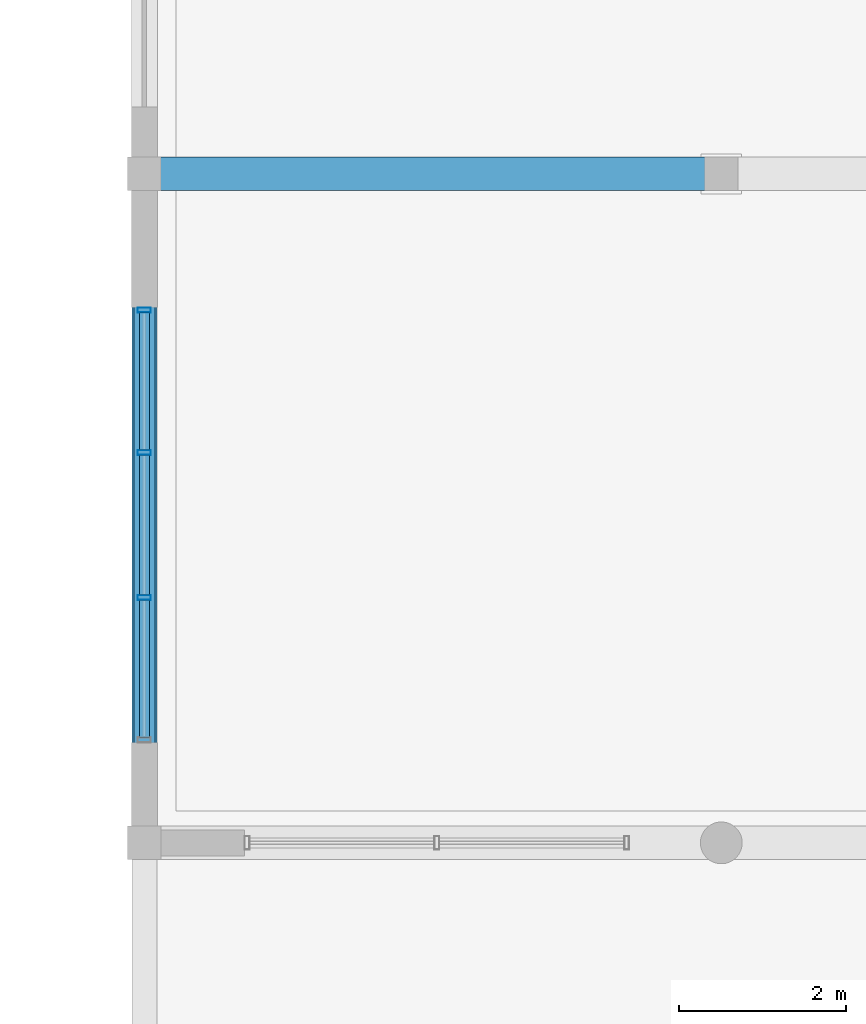
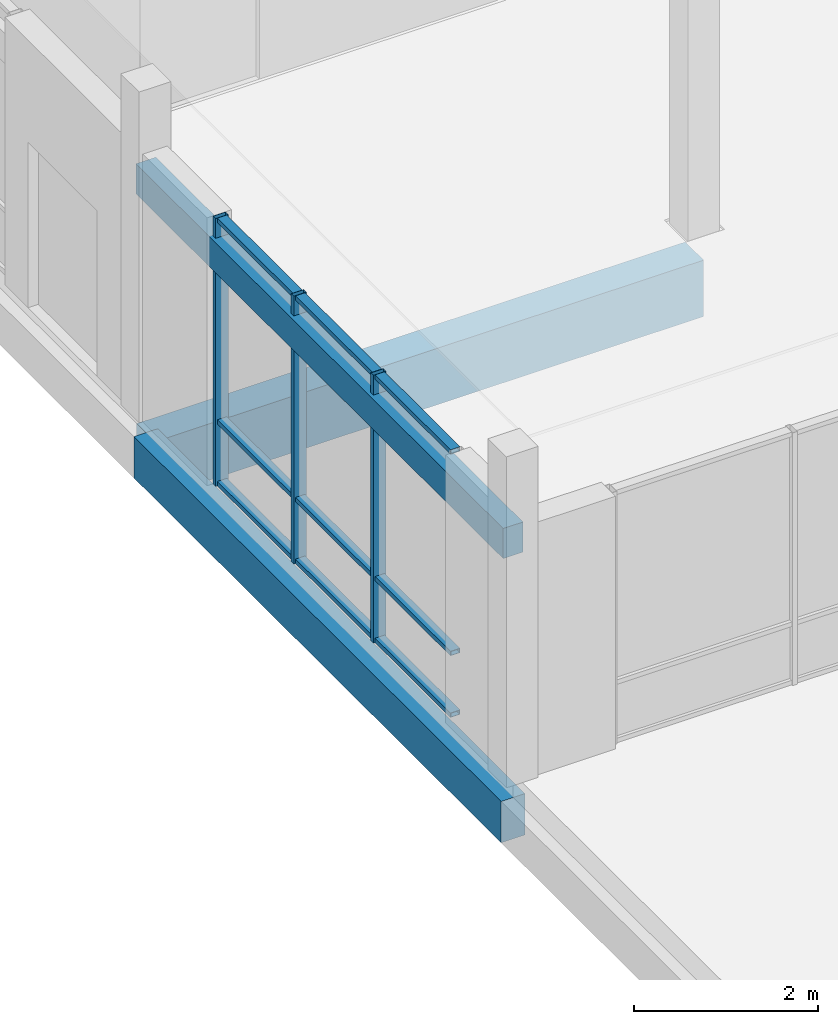
# One storey, part 83 of 233: 12 members, 3 beams, 1 element without a shape of its own.
"""IFC4 building model written with IfcOpenShell, lengths in metres."""

from ifc_helpers import new_model, si_unit, direction, frame, origin, origin_2d, place, context, subcontext, project, spatial, rectangle, hollow_rectangle, extrude, material, material_profile, profile_set, type_object, element, aggregate, save


model = new_model("IFC4")

# Units and contexts
model_context = context("Model", 3, precision=1e-05, world=origin(), true_north=direction((0.0, 1.0)))
body_context = subcontext(model_context, "Body", "Model", "MODEL_VIEW")
ifc_project = project(units=[si_unit("LENGTHUNIT", "METRE"), si_unit("AREAUNIT", "SQUARE_METRE"), si_unit("VOLUMEUNIT", "CUBIC_METRE"), si_unit("PLANEANGLEUNIT", "RADIAN"), si_unit("MASSUNIT", "GRAM", prefix="KILO")], contexts=[model_context])

# Site, building, storey
site_placement = place(None, origin())
site = spatial("IfcSite", under=ifc_project, at=site_placement, CompositionType="ELEMENT")
building_placement = place(site_placement, origin())
building = spatial("IfcBuilding", under=site, at=building_placement, Name="Zavelmont Quarter", CompositionType="ELEMENT")
storey_placement = place(building_placement, origin())
storey = spatial("IfcBuildingStorey", under=building, at=storey_placement, Name="L00", CompositionType="ELEMENT", Elevation=0.0)

# Beams
ifc_material_1 = material(Name="Concrete C35/45", Category="concrete")
ifc_material_profile_1 = material_profile(ifc_material_1, rectangle(XDim=0.300048828125, YDim=0.550048828125, at=origin_2d()), Name="RC300X550")
ifc_profile_set_1 = profile_set([ifc_material_profile_1], Name="Concrete C35/45")
beam_type_1 = type_object("IfcBeamType", Name="BM02", PredefinedType="SPANDREL", material=ifc_profile_set_1)
beam_1_placement = place(storey_placement, frame((0.0, 62.0, -0.594970703125), z_axis=(0.0, 1.0, 0.0), x_axis=(-1.0, 0.0, 0.0)))
element("IfcBeam", 1, at=beam_1_placement, inside=storey, type_object=beam_type_1, Name="L00 beam BM02 1/K to 1/L", PredefinedType="SPANDREL", context=body_context, shape_type="SweptSolid", body=[
    extrude(rectangle(XDim=0.300048828125, YDim=0.550048828125, at=origin_2d()), origin(), (0.0, 0.0, 1.0), 8.0),
])
ifc_material_profile_2 = material_profile(ifc_material_1, rectangle(XDim=0.25, YDim=0.39990234375, at=origin_2d()), Name="RC250X400")
ifc_profile_set_2 = profile_set([ifc_material_profile_2], Name="Concrete C35/45")
beam_type_2 = type_object("IfcBeamType", Name="BM04", PredefinedType="LINTEL", material=ifc_profile_set_2)
beam_2_placement = place(storey_placement, frame((0.0, 62.0, 3.10009765625), z_axis=(0.0, 1.0, 0.0), x_axis=(-1.0, 0.0, 0.0)))
element("IfcBeam", 2, at=beam_2_placement, inside=storey, type_object=beam_type_2, Name="L00 beam BM04 1/K to 1/L", PredefinedType="LINTEL", context=body_context, shape_type="SweptSolid", body=[
    extrude(rectangle(XDim=0.25, YDim=0.39990234375, at=origin_2d()), origin(), (0.0, 0.0, 1.0), 8.0),
])
ifc_material_2 = material(Name="Concrete C40/50", Category="concrete")
ifc_material_profile_3 = material_profile(ifc_material_2, rectangle(XDim=0.39990234375, YDim=0.75, at=origin_2d()), Name="RC400X750")
ifc_profile_set_3 = profile_set([ifc_material_profile_3], Name="Concrete C40/50")
beam_type_3 = type_object("IfcBeamType", Name="BM05", PredefinedType="BEAM", material=ifc_profile_set_3)
beam_3_placement = place(storey_placement, frame((0.0, 70.0, -0.695068359375), z_axis=(1.0, 0.0, 0.0), x_axis=(0.0, 1.0, 0.0)))
element("IfcBeam", 3, at=beam_3_placement, inside=storey, type_object=beam_type_3, Name="L00 beam BM05 1/L to 2/L", PredefinedType="BEAM", context=body_context, shape_type="SweptSolid", body=[
    extrude(rectangle(XDim=0.39990234375, YDim=0.75, at=origin_2d()), origin(), (0.0, 0.0, 1.0), 6.89990234375),
])

# Curtain wall, members
ifc_material_3 = material(Name="Thermally broken aluminium and double low-E safety glazing", Category="aluminium")
curtain_wall_type = type_object("IfcCurtainWallType", Name="CW-520X356", PredefinedType="NOTDEFINED", material=ifc_material_3)
curtain_wall_placement = place(storey_placement, origin())
curtain_wall = element("IfcCurtainWall", 4, at=curtain_wall_placement, inside=storey, type_object=curtain_wall_type, Name="L00 unitised curtain wall CW-520X356", PredefinedType="NOTDEFINED")
ifc_material_4 = material(Name="Powder-coated aluminium EN AW-6063-T6", Category="aluminium")
ifc_material_profile_4 = material_profile(ifc_material_4, hollow_rectangle(XDim=0.06005859375, YDim=0.159912109375, WallThickness=0.00390625, at=origin_2d()), Name="CWM60X160")
ifc_profile_set_4 = profile_set([ifc_material_profile_4], Name="Powder-coated aluminium EN AW-6063-T6")
member_type_1 = type_object("IfcMemberType", Name="CWM01", PredefinedType="MULLION", material=ifc_profile_set_4)
member_1_placement = place(storey_placement, frame((0.0, 64.933349609375, 0.0), z_axis=(0.0, 0.0, 1.0), x_axis=(0.0, 1.0, 0.0)))
member_1 = element("IfcMember", 5, at=member_1_placement, type_object=member_type_1, Name="CW-520X356 mullion 2", PredefinedType="MULLION", context=body_context, shape_type="SweptSolid", body=[
    extrude(hollow_rectangle(XDim=0.06005859375, YDim=0.159912109375, WallThickness=0.00390625, at=origin_2d()), origin(), (0.0, 0.0, 1.0), 3.56005859375),
])
member_2_placement = place(storey_placement, frame((0.0, 66.666748046875, 0.0), z_axis=(0.0, 0.0, 1.0), x_axis=(0.0, 1.0, 0.0)))
member_2 = element("IfcMember", 6, at=member_2_placement, type_object=member_type_1, Name="CW-520X356 mullion 3", PredefinedType="MULLION", context=body_context, shape_type="SweptSolid", body=[
    extrude(hollow_rectangle(XDim=0.06005859375, YDim=0.159912109375, WallThickness=0.00390625, at=origin_2d()), origin(), (0.0, 0.0, 1.0), 3.56005859375),
])
member_3_placement = place(storey_placement, frame((0.0, 68.3701171875, 0.0), z_axis=(0.0, 0.0, 1.0), x_axis=(0.0, 1.0, 0.0)))
member_3 = element("IfcMember", 7, at=member_3_placement, type_object=member_type_1, Name="CW-520X356 mullion 4", PredefinedType="MULLION", context=body_context, shape_type="SweptSolid", body=[
    extrude(hollow_rectangle(XDim=0.06005859375, YDim=0.159912109375, WallThickness=0.00390625, at=origin_2d()), origin(), (0.0, 0.0, 1.0), 3.56005859375),
])
ifc_material_profile_5 = material_profile(ifc_material_4, hollow_rectangle(XDim=0.1201171875, YDim=0.06005859375, WallThickness=0.00390625, at=origin_2d()), Name="CWT60X120")
ifc_profile_set_5 = profile_set([ifc_material_profile_5], Name="Powder-coated aluminium EN AW-6063-T6")
member_type_2 = type_object("IfcMemberType", Name="CWT01", PredefinedType="NOTDEFINED", material=ifc_profile_set_5)
member_4_placement = place(storey_placement, frame((0.0, 63.260009765625, 0.030029296875), z_axis=(0.0, 1.0, 0.0), x_axis=(-1.0, 0.0, 0.0)))
member_4 = element("IfcMember", 8, at=member_4_placement, type_object=member_type_2, Name="CW-520X356 transom 1.1", ObjectType="TRANSOM", PredefinedType="USERDEFINED", context=body_context, shape_type="SweptSolid", body=[
    extrude(hollow_rectangle(XDim=0.1201171875, YDim=0.06005859375, WallThickness=0.00390625, at=origin_2d()), origin(), (0.0, 0.0, 1.0), 1.643310546875),
])
member_5_placement = place(storey_placement, frame((0.0, 63.260009765625, 0.85009765625), z_axis=(0.0, 1.0, 0.0), x_axis=(-1.0, 0.0, 0.0)))
member_5 = element("IfcMember", 9, at=member_5_placement, type_object=member_type_2, Name="CW-520X356 transom 1.2", ObjectType="TRANSOM", PredefinedType="USERDEFINED", context=body_context, shape_type="SweptSolid", body=[
    extrude(hollow_rectangle(XDim=0.1201171875, YDim=0.06005859375, WallThickness=0.00390625, at=origin_2d()), origin(), (0.0, 0.0, 1.0), 1.643310546875),
])
member_6_placement = place(storey_placement, frame((0.0, 63.260009765625, 3.530029296875), z_axis=(0.0, 1.0, 0.0), x_axis=(-1.0, 0.0, 0.0)))
member_6 = element("IfcMember", 10, at=member_6_placement, type_object=member_type_2, Name="CW-520X356 transom 1.3", ObjectType="TRANSOM", PredefinedType="USERDEFINED", context=body_context, shape_type="SweptSolid", body=[
    extrude(hollow_rectangle(XDim=0.1201171875, YDim=0.06005859375, WallThickness=0.00390625, at=origin_2d()), origin(), (0.0, 0.0, 1.0), 1.643310546875),
])
member_7_placement = place(storey_placement, frame((0.0, 64.96337890625, 0.030029296875), z_axis=(0.0, 1.0, 0.0), x_axis=(-1.0, 0.0, 0.0)))
member_7 = element("IfcMember", 11, at=member_7_placement, type_object=member_type_2, Name="CW-520X356 transom 2.1", ObjectType="TRANSOM", PredefinedType="USERDEFINED", context=body_context, shape_type="SweptSolid", body=[
    extrude(hollow_rectangle(XDim=0.1201171875, YDim=0.06005859375, WallThickness=0.00390625, at=origin_2d()), origin(), (0.0, 0.0, 1.0), 1.67333984375),
])
member_8_placement = place(storey_placement, frame((0.0, 64.96337890625, 0.85009765625), z_axis=(0.0, 1.0, 0.0), x_axis=(-1.0, 0.0, 0.0)))
member_8 = element("IfcMember", 12, at=member_8_placement, type_object=member_type_2, Name="CW-520X356 transom 2.2", ObjectType="TRANSOM", PredefinedType="USERDEFINED", context=body_context, shape_type="SweptSolid", body=[
    extrude(hollow_rectangle(XDim=0.1201171875, YDim=0.06005859375, WallThickness=0.00390625, at=origin_2d()), origin(), (0.0, 0.0, 1.0), 1.67333984375),
])
member_9_placement = place(storey_placement, frame((0.0, 64.96337890625, 3.530029296875), z_axis=(0.0, 1.0, 0.0), x_axis=(-1.0, 0.0, 0.0)))
member_9 = element("IfcMember", 13, at=member_9_placement, type_object=member_type_2, Name="CW-520X356 transom 2.3", ObjectType="TRANSOM", PredefinedType="USERDEFINED", context=body_context, shape_type="SweptSolid", body=[
    extrude(hollow_rectangle(XDim=0.1201171875, YDim=0.06005859375, WallThickness=0.00390625, at=origin_2d()), origin(), (0.0, 0.0, 1.0), 1.67333984375),
])
member_10_placement = place(storey_placement, frame((0.0, 66.69677734375, 0.030029296875), z_axis=(0.0, 1.0, 0.0), x_axis=(-1.0, 0.0, 0.0)))
member_10 = element("IfcMember", 14, at=member_10_placement, type_object=member_type_2, Name="CW-520X356 transom 3.1", ObjectType="TRANSOM", PredefinedType="USERDEFINED", context=body_context, shape_type="SweptSolid", body=[
    extrude(hollow_rectangle(XDim=0.1201171875, YDim=0.06005859375, WallThickness=0.00390625, at=origin_2d()), origin(), (0.0, 0.0, 1.0), 1.643310546875),
])
member_11_placement = place(storey_placement, frame((0.0, 66.69677734375, 0.85009765625), z_axis=(0.0, 1.0, 0.0), x_axis=(-1.0, 0.0, 0.0)))
member_11 = element("IfcMember", 15, at=member_11_placement, type_object=member_type_2, Name="CW-520X356 transom 3.2", ObjectType="TRANSOM", PredefinedType="USERDEFINED", context=body_context, shape_type="SweptSolid", body=[
    extrude(hollow_rectangle(XDim=0.1201171875, YDim=0.06005859375, WallThickness=0.00390625, at=origin_2d()), origin(), (0.0, 0.0, 1.0), 1.643310546875),
])
member_12_placement = place(storey_placement, frame((0.0, 66.69677734375, 3.530029296875), z_axis=(0.0, 1.0, 0.0), x_axis=(-1.0, 0.0, 0.0)))
member_12 = element("IfcMember", 16, at=member_12_placement, type_object=member_type_2, Name="CW-520X356 transom 3.3", ObjectType="TRANSOM", PredefinedType="USERDEFINED", context=body_context, shape_type="SweptSolid", body=[
    extrude(hollow_rectangle(XDim=0.1201171875, YDim=0.06005859375, WallThickness=0.00390625, at=origin_2d()), origin(), (0.0, 0.0, 1.0), 1.643310546875),
])
aggregate(curtain_wall, [member_1, member_2, member_3, member_4, member_5, member_6, member_7, member_8, member_9, member_10, member_11, member_12])

save(model, "model.ifc")
